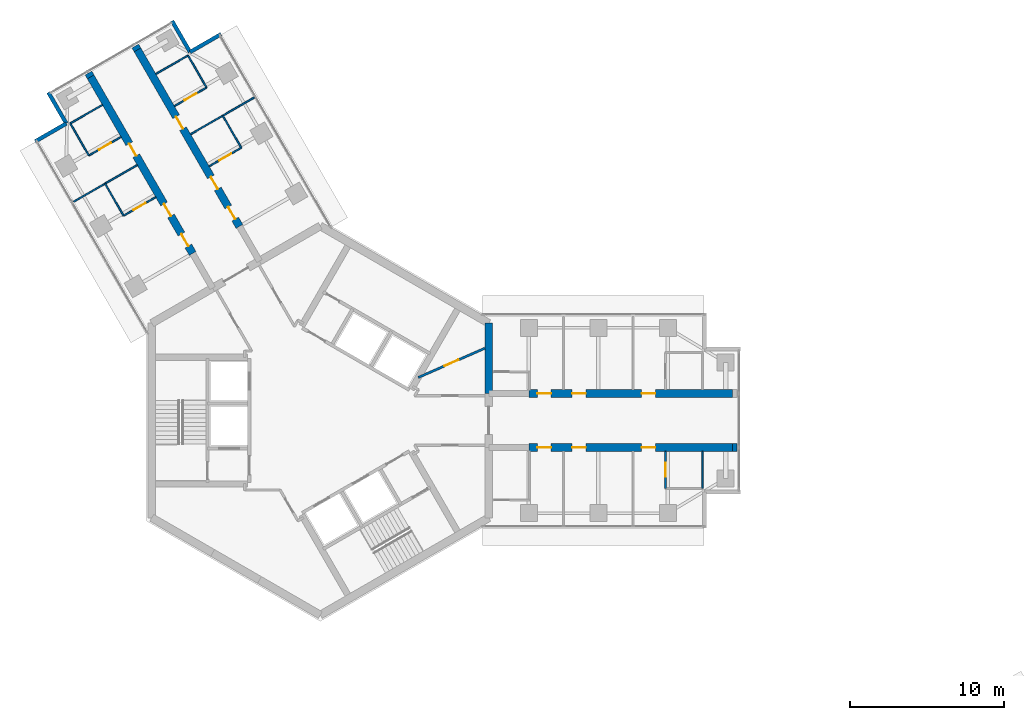
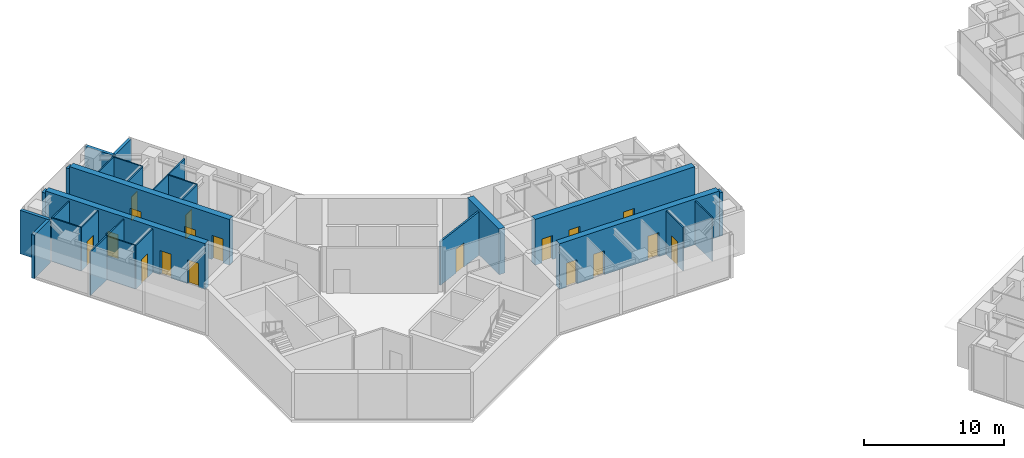
# One storey, part 13 of 18: 27 walls, 18 doors, 18 openings.
"""IFC4 building model written with IfcOpenShell, lengths in metres."""

from ifc_helpers import new_model, si_unit, direction, frame, frame_2d, origin, place, context, subcontext, project, spatial, rectangle, extrude, material, layer, layer_set, type_object, element, fill, save


model = new_model("IFC4")

# Units and contexts
model_context = context("Model", 3, precision=1e-05, world=origin(), true_north=direction((0.0, 1.0)))
body_context = subcontext(model_context, "Body", "Model", "MODEL_VIEW")
ifc_project = project(units=[si_unit("LENGTHUNIT", "METRE"), si_unit("AREAUNIT", "SQUARE_METRE"), si_unit("VOLUMEUNIT", "CUBIC_METRE"), si_unit("PLANEANGLEUNIT", "RADIAN"), si_unit("MASSUNIT", "GRAM", prefix="KILO")], contexts=[model_context])

# Site, building, storey
site_placement = place(None, origin())
site = spatial("IfcSite", under=ifc_project, at=site_placement, CompositionType="ELEMENT")
building_placement = place(site_placement, origin())
building = spatial("IfcBuilding", under=site, at=building_placement, Name="Upepo Twin Towers", CompositionType="ELEMENT")
storey_placement = place(building_placement, frame((0.0, 0.0, 218.5)))
storey = spatial("IfcBuildingStorey", under=building, at=storey_placement, Name="L53", CompositionType="ELEMENT", Elevation=218.5)

# Walls
ifc_material_1 = material(Name="Dense concrete blockwork", Category="masonry")
ifc_layer_1 = layer(ifc_material_1, 0.5)
ifc_layer_set_1 = layer_set([ifc_layer_1], Name="Buttress closer 500, blockwork with fire-stopping to the curtain wall")
wall_type_1 = type_object("IfcWallType", Name="Buttress closer 500, blockwork with fire-stopping to the curtain wall", PredefinedType="PARTITIONING", material=ifc_layer_set_1)
for number, where, z_axis, x_axis, name in (
    (1, (26.699951171875, -1.75, 0.0), (0.0, 0.0, 1.0), (1.0, 0.0, 0.0), "T1 L53 wing A buttress closer R"),
    (2, (-14.865478515625, 22.247802734375, 0.0), (0.0, 0.0, 1.0), (-0.500065409566, 0.86598763626, 0.0), "T1 L53 wing B buttress closer L"),
    (3, (-11.83447265625, 23.997802734375, 0.0), (0.0, 0.0, 1.0), (-0.500065409566, 0.86598763626, 0.0), "T1 L53 wing B buttress closer R"),
):
    element("IfcWall", number, at=place(storey_placement, frame(where, z_axis=z_axis, x_axis=x_axis)), inside=storey, type_object=wall_type_1, Name=name, PredefinedType="PARTITIONING", context=body_context, shape_type="SweptSolid", body=[
        extrude(rectangle(XDim=0.28759765625, YDim=0.5, at=frame_2d((0.143798828125, 0.0))), origin(), (0.0, 0.0, 1.0), 3.800048828125),
    ])

# Wall, openings, doors
ifc_material_2 = material(Name="Concrete C60/75", Category="concrete")
ifc_layer_2 = layer(ifc_material_2, 0.5)
ifc_layer_set_2 = layer_set([ifc_layer_2], Name="Concrete C60/75")
wall_type_2 = type_object("IfcWallType", Name="Buttress wall 500 RC", PredefinedType="SHEAR", material=ifc_layer_set_2)
wall_1_placement = place(storey_placement, frame((13.5, 1.75, 0.0), z_axis=(0.0, 0.0, 1.0), x_axis=(1.0, 0.0, 0.0)))
wall_1 = element("IfcWall", 4, at=wall_1_placement, inside=storey, type_object=wall_type_2, Name="T1 wing A buttress wall L part 2", PredefinedType="SHEAR", context=body_context, shape_type="SweptSolid", body=[
    extrude(rectangle(XDim=13.199951171875, YDim=0.5, at=frame_2d((6.60009765625, 0.0))), origin(), (0.0, 0.0, 1.0), 4.0),
])
opening_1_placement = place(wall_1_placement, frame((0.550048828125, 0.0, 0.0)))
opening_1 = element("IfcOpeningElement", 5, at=opening_1_placement, cuts=wall_1, Name="Opening D11", PredefinedType="OPENING", context=body_context, shape_type="SweptSolid", body=[
    extrude(rectangle(XDim=0.89990234375, YDim=2.10009765625, at=frame_2d((0.449951171875, 1.050048828125))), frame((0.0, 0.260009765625, 0.0), z_axis=(0.0, -1.0, 0.0), x_axis=(1.0, 0.0, 0.0)), (0.0, 0.0, 1.0), 0.52001953125),
])
opening_2_placement = place(wall_1_placement, frame((2.800048828125, 0.0, 0.0)))
opening_2 = element("IfcOpeningElement", 6, at=opening_2_placement, cuts=wall_1, Name="Opening D14", PredefinedType="OPENING", context=body_context, shape_type="SweptSolid", body=[
    extrude(rectangle(XDim=0.89990234375, YDim=2.10009765625, at=frame_2d((0.449951171875, 1.050048828125))), frame((0.0, 0.260009765625, 0.0), z_axis=(0.0, -1.0, 0.0), x_axis=(1.0, 0.0, 0.0)), (0.0, 0.0, 1.0), 0.52001953125),
])
opening_3_placement = place(wall_1_placement, frame((7.300048828125, 0.0, 0.0)))
opening_3 = element("IfcOpeningElement", 7, at=opening_3_placement, cuts=wall_1, Name="Opening D14", PredefinedType="OPENING", context=body_context, shape_type="SweptSolid", body=[
    extrude(rectangle(XDim=0.89990234375, YDim=2.10009765625, at=frame_2d((0.449951171875, 1.050048828125))), frame((0.0, 0.260009765625, 0.0), z_axis=(0.0, -1.0, 0.0), x_axis=(1.0, 0.0, 0.0)), (0.0, 0.0, 1.0), 0.52001953125),
])
ifc_material_3 = material(Name="Timber doorset", Category="wood")
door_type_1 = type_object("IfcDoorType", Name="Office door 900 FD30", OperationType="SINGLE_SWING_LEFT", PredefinedType="DOOR", material=ifc_material_3)
door_1_placement = place(opening_2_placement, origin())
door_1 = element("IfcDoor", 8, at=door_1_placement, inside=storey, type_object=door_type_1, Name="T1 L53 staff office door", OperationType="SINGLE_SWING_LEFT", OverallHeight=2.10009765625, OverallWidth=0.89990234375, PredefinedType="DOOR", context=body_context, shape_type="SweptSolid", body=[
    extrude(rectangle(XDim=0.89990234375, YDim=2.10009765625, at=frame_2d((0.449951171875, 1.050048828125))), frame((0.0, 0.02490234375, 0.0), z_axis=(0.0, -1.0, 0.0), x_axis=(1.0, 0.0, 0.0)), (0.0, 0.0, 1.0), 0.050048828125),
])
fill(opening_2, door_1)
door_2_placement = place(opening_3_placement, origin())
door_2 = element("IfcDoor", 9, at=door_2_placement, inside=storey, type_object=door_type_1, Name="T1 L53 postgraduate office door", OperationType="SINGLE_SWING_RIGHT", OverallHeight=2.10009765625, OverallWidth=0.89990234375, PredefinedType="DOOR", context=body_context, shape_type="SweptSolid", body=[
    extrude(rectangle(XDim=0.89990234375, YDim=2.10009765625, at=frame_2d((0.449951171875, 1.050048828125))), frame((0.0, 0.02490234375, 0.0), z_axis=(0.0, -1.0, 0.0), x_axis=(1.0, 0.0, 0.0)), (0.0, 0.0, 1.0), 0.050048828125),
])
fill(opening_3, door_2)
ifc_material_4 = material(Name="Timber doorset", Category="wood")
door_type_2 = type_object("IfcDoorType", Name="Toilet door 900", OperationType="SINGLE_SWING_LEFT", PredefinedType="DOOR", material=ifc_material_4)
door_3_placement = place(opening_1_placement, origin())
door_3 = element("IfcDoor", 10, at=door_3_placement, inside=storey, type_object=door_type_2, Name="T1 L53 toilets door", OperationType="SINGLE_SWING_LEFT", OverallHeight=2.10009765625, OverallWidth=0.89990234375, PredefinedType="DOOR", context=body_context, shape_type="SweptSolid", body=[
    extrude(rectangle(XDim=0.89990234375, YDim=2.10009765625, at=frame_2d((0.449951171875, 1.050048828125))), frame((0.0, 0.02490234375, 0.0), z_axis=(0.0, -1.0, 0.0), x_axis=(1.0, 0.0, 0.0)), (0.0, 0.0, 1.0), 0.050048828125),
])
fill(opening_1, door_3)

wall_2_placement = place(storey_placement, frame((13.5, -1.75, 0.0), z_axis=(0.0, 0.0, 1.0), x_axis=(1.0, 0.0, 0.0)))
wall_2 = element("IfcWall", 11, at=wall_2_placement, inside=storey, type_object=wall_type_2, Name="T1 wing A buttress wall R part 2", PredefinedType="SHEAR", context=body_context, shape_type="SweptSolid", body=[
    extrude(rectangle(XDim=13.199951171875, YDim=0.5, at=frame_2d((6.60009765625, 0.0))), origin(), (0.0, 0.0, 1.0), 4.0),
])
opening_4_placement = place(wall_2_placement, frame((0.550048828125, 0.0, 0.0)))
opening_4 = element("IfcOpeningElement", 12, at=opening_4_placement, cuts=wall_2, Name="Opening D11", PredefinedType="OPENING", context=body_context, shape_type="SweptSolid", body=[
    extrude(rectangle(XDim=0.89990234375, YDim=2.10009765625, at=frame_2d((0.449951171875, 1.050048828125))), frame((0.0, 0.260009765625, 0.0), z_axis=(0.0, -1.0, 0.0), x_axis=(1.0, 0.0, 0.0)), (0.0, 0.0, 1.0), 0.52001953125),
])
opening_5_placement = place(wall_2_placement, frame((2.800048828125, 0.0, 0.0)))
opening_5 = element("IfcOpeningElement", 13, at=opening_5_placement, cuts=wall_2, Name="Opening D14", PredefinedType="OPENING", context=body_context, shape_type="SweptSolid", body=[
    extrude(rectangle(XDim=0.89990234375, YDim=2.10009765625, at=frame_2d((0.449951171875, 1.050048828125))), frame((0.0, 0.260009765625, 0.0), z_axis=(0.0, -1.0, 0.0), x_axis=(1.0, 0.0, 0.0)), (0.0, 0.0, 1.0), 0.52001953125),
])
opening_6_placement = place(wall_2_placement, frame((7.300048828125, 0.0, 0.0)))
opening_6 = element("IfcOpeningElement", 14, at=opening_6_placement, cuts=wall_2, Name="Opening D14", PredefinedType="OPENING", context=body_context, shape_type="SweptSolid", body=[
    extrude(rectangle(XDim=0.89990234375, YDim=2.10009765625, at=frame_2d((0.449951171875, 1.050048828125))), frame((0.0, 0.260009765625, 0.0), z_axis=(0.0, -1.0, 0.0), x_axis=(1.0, 0.0, 0.0)), (0.0, 0.0, 1.0), 0.52001953125),
])
door_4_placement = place(opening_5_placement, origin())
door_4 = element("IfcDoor", 15, at=door_4_placement, inside=storey, type_object=door_type_1, Name="T1 L53 meeting room door", OperationType="SINGLE_SWING_LEFT", OverallHeight=2.10009765625, OverallWidth=0.89990234375, PredefinedType="DOOR", context=body_context, shape_type="SweptSolid", body=[
    extrude(rectangle(XDim=0.89990234375, YDim=2.10009765625, at=frame_2d((0.449951171875, 1.050048828125))), frame((0.0, 0.02490234375, 0.0), z_axis=(0.0, -1.0, 0.0), x_axis=(1.0, 0.0, 0.0)), (0.0, 0.0, 1.0), 0.050048828125),
])
fill(opening_5, door_4)
door_5_placement = place(opening_6_placement, origin())
door_5 = element("IfcDoor", 16, at=door_5_placement, inside=storey, type_object=door_type_1, Name="T1 L53 staff office door", OperationType="SINGLE_SWING_RIGHT", OverallHeight=2.10009765625, OverallWidth=0.89990234375, PredefinedType="DOOR", context=body_context, shape_type="SweptSolid", body=[
    extrude(rectangle(XDim=0.89990234375, YDim=2.10009765625, at=frame_2d((0.449951171875, 1.050048828125))), frame((0.0, 0.02490234375, 0.0), z_axis=(0.0, -1.0, 0.0), x_axis=(1.0, 0.0, 0.0)), (0.0, 0.0, 1.0), 0.050048828125),
])
fill(opening_6, door_5)
door_6_placement = place(opening_4_placement, origin())
door_6 = element("IfcDoor", 17, at=door_6_placement, inside=storey, type_object=door_type_2, Name="T1 L53 accessible wc door", OperationType="SINGLE_SWING_LEFT", OverallHeight=2.10009765625, OverallWidth=0.89990234375, PredefinedType="DOOR", context=body_context, shape_type="SweptSolid", body=[
    extrude(rectangle(XDim=0.89990234375, YDim=2.10009765625, at=frame_2d((0.449951171875, 1.050048828125))), frame((0.0, 0.02490234375, 0.0), z_axis=(0.0, -1.0, 0.0), x_axis=(1.0, 0.0, 0.0)), (0.0, 0.0, 1.0), 0.050048828125),
])
fill(opening_4, door_6)

wall_3_placement = place(storey_placement, frame((-8.265625, 10.81640625, 0.0), z_axis=(0.0, 0.0, 1.0), x_axis=(-0.499996231654, 0.866027579429, 0.0)))
wall_3 = element("IfcWall", 18, at=wall_3_placement, inside=storey, type_object=wall_type_2, Name="T1 wing B buttress wall L part 2", PredefinedType="SHEAR", context=body_context, shape_type="SweptSolid", body=[
    extrude(rectangle(XDim=13.19970703125, YDim=0.5, at=frame_2d((6.599853515625, 0.0))), origin(), (0.0, 0.0, 1.0), 4.0),
])
opening_7_placement = place(wall_3_placement, frame((0.550048828125, 0.0, 0.0)))
opening_7 = element("IfcOpeningElement", 19, at=opening_7_placement, cuts=wall_3, Name="Opening D14", PredefinedType="OPENING", context=body_context, shape_type="SweptSolid", body=[
    extrude(rectangle(XDim=0.89990234375, YDim=2.10009765625, at=frame_2d((0.449951171875, 1.050048828125))), frame((0.0, 0.260009765625, 0.0), z_axis=(0.0, -1.0, 0.0), x_axis=(1.0, 0.0, 0.0)), (0.0, 0.0, 1.0), 0.52001953125),
])
opening_8_placement = place(wall_3_placement, frame((2.800048828125, 0.0, 0.0)))
opening_8 = element("IfcOpeningElement", 20, at=opening_8_placement, cuts=wall_3, Name="Opening D14", PredefinedType="OPENING", context=body_context, shape_type="SweptSolid", body=[
    extrude(rectangle(XDim=0.89990234375, YDim=2.10009765625, at=frame_2d((0.449951171875, 1.050048828125))), frame((0.0, 0.260009765625, 0.0), z_axis=(0.0, -1.0, 0.0), x_axis=(1.0, 0.0, 0.0)), (0.0, 0.0, 1.0), 0.52001953125),
])
opening_9_placement = place(wall_3_placement, frame((7.300048828125, 0.0, 0.0)))
opening_9 = element("IfcOpeningElement", 21, at=opening_9_placement, cuts=wall_3, Name="Opening D14", PredefinedType="OPENING", context=body_context, shape_type="SweptSolid", body=[
    extrude(rectangle(XDim=0.89990234375, YDim=2.10009765625, at=frame_2d((0.449951171875, 1.050048828125))), frame((0.0, 0.260009765625, 0.0), z_axis=(0.0, -1.0, 0.0), x_axis=(1.0, 0.0, 0.0)), (0.0, 0.0, 1.0), 0.52001953125),
])
door_7_placement = place(opening_7_placement, origin())
door_7 = element("IfcDoor", 22, at=door_7_placement, inside=storey, type_object=door_type_1, Name="T1 L53 open-plan department office door", OperationType="SINGLE_SWING_LEFT", OverallHeight=2.10009765625, OverallWidth=0.89990234375, PredefinedType="DOOR", context=body_context, shape_type="SweptSolid", body=[
    extrude(rectangle(XDim=0.89990234375, YDim=2.10009765625, at=frame_2d((0.449951171875, 1.050048828125))), frame((0.0, 0.02490234375, 0.0), z_axis=(0.0, -1.0, 0.0), x_axis=(1.0, 0.0, 0.0)), (0.0, 0.0, 1.0), 0.050048828125),
])
fill(opening_7, door_7)
door_8_placement = place(opening_8_placement, origin())
door_8 = element("IfcDoor", 23, at=door_8_placement, inside=storey, type_object=door_type_1, Name="T1 L53 open-plan department office door", OperationType="SINGLE_SWING_LEFT", OverallHeight=2.10009765625, OverallWidth=0.89990234375, PredefinedType="DOOR", context=body_context, shape_type="SweptSolid", body=[
    extrude(rectangle(XDim=0.89990234375, YDim=2.10009765625, at=frame_2d((0.449951171875, 1.050048828125))), frame((0.0, 0.02490234375, 0.0), z_axis=(0.0, -1.0, 0.0), x_axis=(1.0, 0.0, 0.0)), (0.0, 0.0, 1.0), 0.050048828125),
])
fill(opening_8, door_8)
door_9_placement = place(opening_9_placement, origin())
door_9 = element("IfcDoor", 24, at=door_9_placement, inside=storey, type_object=door_type_1, Name="T1 L53 staff office door", OperationType="SINGLE_SWING_RIGHT", OverallHeight=2.10009765625, OverallWidth=0.89990234375, PredefinedType="DOOR", context=body_context, shape_type="SweptSolid", body=[
    extrude(rectangle(XDim=0.89990234375, YDim=2.10009765625, at=frame_2d((0.449951171875, 1.050048828125))), frame((0.0, 0.02490234375, 0.0), z_axis=(0.0, -1.0, 0.0), x_axis=(1.0, 0.0, 0.0)), (0.0, 0.0, 1.0), 0.050048828125),
])
fill(opening_9, door_9)

wall_4_placement = place(storey_placement, frame((-5.234375, 12.56640625, 0.0), z_axis=(0.0, 0.0, 1.0), x_axis=(-0.500010103361, 0.866019570528, 0.0)))
wall_4 = element("IfcWall", 25, at=wall_4_placement, inside=storey, type_object=wall_type_2, Name="T1 wing B buttress wall R part 2", PredefinedType="SHEAR", context=body_context, shape_type="SweptSolid", body=[
    extrude(rectangle(XDim=13.199951171875, YDim=0.5, at=frame_2d((6.60009765625, 0.0))), origin(), (0.0, 0.0, 1.0), 4.0),
])
opening_10_placement = place(wall_4_placement, frame((0.550048828125, 0.0, 0.0)))
opening_10 = element("IfcOpeningElement", 26, at=opening_10_placement, cuts=wall_4, Name="Opening D14", PredefinedType="OPENING", context=body_context, shape_type="SweptSolid", body=[
    extrude(rectangle(XDim=0.89990234375, YDim=2.10009765625, at=frame_2d((0.449951171875, 1.050048828125))), frame((0.0, 0.260009765625, 0.0), z_axis=(0.0, -1.0, 0.0), x_axis=(1.0, 0.0, 0.0)), (0.0, 0.0, 1.0), 0.52001953125),
])
opening_11_placement = place(wall_4_placement, frame((2.800048828125, 0.0, 0.0)))
opening_11 = element("IfcOpeningElement", 27, at=opening_11_placement, cuts=wall_4, Name="Opening D14", PredefinedType="OPENING", context=body_context, shape_type="SweptSolid", body=[
    extrude(rectangle(XDim=0.89990234375, YDim=2.10009765625, at=frame_2d((0.449951171875, 1.050048828125))), frame((0.0, 0.260009765625, 0.0), z_axis=(0.0, -1.0, 0.0), x_axis=(1.0, 0.0, 0.0)), (0.0, 0.0, 1.0), 0.52001953125),
])
opening_12_placement = place(wall_4_placement, frame((7.300048828125, 0.0, 0.0)))
opening_12 = element("IfcOpeningElement", 28, at=opening_12_placement, cuts=wall_4, Name="Opening D14", PredefinedType="OPENING", context=body_context, shape_type="SweptSolid", body=[
    extrude(rectangle(XDim=0.89990234375, YDim=2.10009765625, at=frame_2d((0.449951171875, 1.050048828125))), frame((0.0, 0.260009765625, 0.0), z_axis=(0.0, -1.0, 0.0), x_axis=(1.0, 0.0, 0.0)), (0.0, 0.0, 1.0), 0.52001953125),
])
door_10_placement = place(opening_10_placement, origin())
door_10 = element("IfcDoor", 29, at=door_10_placement, inside=storey, type_object=door_type_1, Name="T1 L53 open-plan department office door", OperationType="SINGLE_SWING_LEFT", OverallHeight=2.10009765625, OverallWidth=0.89990234375, PredefinedType="DOOR", context=body_context, shape_type="SweptSolid", body=[
    extrude(rectangle(XDim=0.89990234375, YDim=2.10009765625, at=frame_2d((0.449951171875, 1.050048828125))), frame((0.0, 0.02490234375, 0.0), z_axis=(0.0, -1.0, 0.0), x_axis=(1.0, 0.0, 0.0)), (0.0, 0.0, 1.0), 0.050048828125),
])
fill(opening_10, door_10)
door_11_placement = place(opening_11_placement, origin())
door_11 = element("IfcDoor", 30, at=door_11_placement, inside=storey, type_object=door_type_1, Name="T1 L53 open-plan department office door", OperationType="SINGLE_SWING_LEFT", OverallHeight=2.10009765625, OverallWidth=0.89990234375, PredefinedType="DOOR", context=body_context, shape_type="SweptSolid", body=[
    extrude(rectangle(XDim=0.89990234375, YDim=2.10009765625, at=frame_2d((0.449951171875, 1.050048828125))), frame((0.0, 0.02490234375, 0.0), z_axis=(0.0, -1.0, 0.0), x_axis=(1.0, 0.0, 0.0)), (0.0, 0.0, 1.0), 0.050048828125),
])
fill(opening_11, door_11)
door_12_placement = place(opening_12_placement, origin())
door_12 = element("IfcDoor", 31, at=door_12_placement, inside=storey, type_object=door_type_1, Name="T1 L53 postgraduate office door", OperationType="SINGLE_SWING_RIGHT", OverallHeight=2.10009765625, OverallWidth=0.89990234375, PredefinedType="DOOR", context=body_context, shape_type="SweptSolid", body=[
    extrude(rectangle(XDim=0.89990234375, YDim=2.10009765625, at=frame_2d((0.449951171875, 1.050048828125))), frame((0.0, 0.02490234375, 0.0), z_axis=(0.0, -1.0, 0.0), x_axis=(1.0, 0.0, 0.0)), (0.0, 0.0, 1.0), 0.050048828125),
])
fill(opening_12, door_12)

# Walls
ifc_material_5 = material(Name="Concrete C60/75", Category="concrete")
ifc_layer_3 = layer(ifc_material_5, 0.5)
ifc_layer_set_3 = layer_set([ifc_layer_3], Name="Concrete C60/75")
wall_type_3 = type_object("IfcWallType", Name="Core wall 500 RC", PredefinedType="SHEAR", material=ifc_layer_set_3)
wall_5_placement = place(storey_placement, frame((10.908447265625, 1.75, 0.0), z_axis=(0.0, 0.0, 1.0), x_axis=(0.0, 1.0, 0.0)))
element("IfcWall", 32, at=wall_5_placement, inside=storey, type_object=wall_type_3, Name="T1 core wall 000 L", PredefinedType="SHEAR", context=body_context, shape_type="SweptSolid", body=[
    extrude(rectangle(XDim=4.5478515625, YDim=0.5, at=frame_2d((2.27392578125, 0.0))), origin(), (0.0, 0.0, 1.0), 4.0),
])
ifc_material_6 = material(Name="Blockwork with anodised aluminium cladding", Category="masonry")
ifc_layer_4 = layer(ifc_material_6, 0.25)
ifc_layer_set_4 = layer_set([ifc_layer_4], Name="Notch cladding wall 250, pale metal")
wall_type_4 = type_object("IfcWallType", Name="Notch cladding wall 250, pale metal", PredefinedType="STANDARD", material=ifc_layer_set_4)
for number, where, z_axis, x_axis, name in (
    (33, (-18.456298828125, 18.0673828125, 0.0), (0.0, 0.0, 1.0), (0.865998469481, 0.500046648681, 0.0), "T1 L53 wing B notch wall L1"),
    (34, (-16.44287109375, 19.22998046875, 0.0), (0.0, 0.0, 1.0), (-0.500046648681, 0.865998469481, 0.0), "T1 L53 wing B notch wall L2"),
    (35, (-6.418701171875, 25.017333984375, 0.0), (0.0, 0.0, 1.0), (-0.866043940782, -0.499967891604, 0.0), "T1 L53 wing B notch wall R1"),
    (36, (-8.43212890625, 23.85498046875, 0.0), (0.0, 0.0, 1.0), (-0.500046648681, 0.865998469481, 0.0), "T1 L53 wing B notch wall R2"),
):
    element("IfcWall", number, at=place(storey_placement, frame(where, z_axis=z_axis, x_axis=x_axis)), inside=storey, type_object=wall_type_4, Name=name, PredefinedType="STANDARD", context=body_context, shape_type="SweptSolid", body=[
        extrude(rectangle(XDim=2.324951171875, YDim=0.25, at=frame_2d((1.16259765625, 0.0))), origin(), (0.0, 0.0, 1.0), 3.800048828125),
    ])

# Wall, opening, door
ifc_material_7 = material(Name="Gypsum board on steel studs", Category="steel")
ifc_layer_5 = layer(ifc_material_7, 0.10009765625)
ifc_layer_set_5 = layer_set([ifc_layer_5], Name="Office partition 100 stud")
wall_type_5 = type_object("IfcWallType", Name="Office partition 100 stud", PredefinedType="PARTITIONING", material=ifc_layer_set_5)
wall_6_placement = place(storey_placement, frame((22.35009765625, -2.0, 0.0), z_axis=(0.0, 0.0, 1.0), x_axis=(0.0, -1.0, 0.0)))
wall_6 = element("IfcWall", 37, at=wall_6_placement, inside=storey, type_object=wall_type_5, Name="T1 inner room partition AR end at 22.35", PredefinedType="PARTITIONING", context=body_context, shape_type="SweptSolid", body=[
    extrude(rectangle(XDim=2.39990234375, YDim=0.10009765625, at=frame_2d((1.199951171875, 0.0))), origin(), (0.0, 0.0, 1.0), 3.800048828125),
])
opening_13_placement = place(wall_6_placement, frame((0.75, 0.0, 0.0)))
opening_13 = element("IfcOpeningElement", 38, at=opening_13_placement, cuts=wall_6, Name="Opening D14", PredefinedType="OPENING", context=body_context, shape_type="SweptSolid", body=[
    extrude(rectangle(XDim=0.89990234375, YDim=2.10009765625, at=frame_2d((0.449951171875, 1.050048828125))), frame((0.0, 0.06005859375, 0.0), z_axis=(0.0, -1.0, 0.0), x_axis=(1.0, 0.0, 0.0)), (0.0, 0.0, 1.0), 0.1201171875),
])
door_13_placement = place(opening_13_placement, origin())
door_13 = element("IfcDoor", 39, at=door_13_placement, inside=storey, type_object=door_type_1, Name="T1 L53 inner room door", OperationType="SINGLE_SWING_LEFT", OverallHeight=2.10009765625, OverallWidth=0.89990234375, PredefinedType="DOOR", context=body_context, shape_type="SweptSolid", body=[
    extrude(rectangle(XDim=0.89990234375, YDim=2.10009765625, at=frame_2d((0.449951171875, 1.050048828125))), frame((0.0, 0.02490234375, 0.0), z_axis=(0.0, -1.0, 0.0), x_axis=(1.0, 0.0, 0.0)), (0.0, 0.0, 1.0), 0.050048828125),
])
fill(opening_13, door_13)

# Walls
wall_7_placement = place(storey_placement, frame((24.75, -2.0, 0.0), z_axis=(0.0, 0.0, 1.0), x_axis=(0.0, -1.0, 0.0)))
element("IfcWall", 40, at=wall_7_placement, inside=storey, type_object=wall_type_5, Name="T1 inner room partition AR end at 24.75", PredefinedType="PARTITIONING", context=body_context, shape_type="SweptSolid", body=[
    extrude(rectangle(XDim=2.39990234375, YDim=0.10009765625, at=frame_2d((1.199951171875, 0.0))), origin(), (0.0, 0.0, 1.0), 3.800048828125),
])
wall_8_placement = place(storey_placement, frame((-11.85693359375, 16.537109375, 0.0), z_axis=(0.0, 0.0, 1.0), x_axis=(-0.866033238375, -0.499986429846, 0.0)))
element("IfcWall", 41, at=wall_8_placement, inside=storey, type_object=wall_type_5, Name="T1 partition BL at 20.25", PredefinedType="PARTITIONING", context=body_context, shape_type="SweptSolid", body=[
    extrude(rectangle(XDim=4.750244140625, YDim=0.10009765625, at=frame_2d((2.375, 0.0))), origin(), (0.0, 0.0, 1.0), 3.800048828125),
])
wall_9_placement = place(storey_placement, frame((-12.735595703125, 13.258544921875, 0.0), z_axis=(0.0, 0.0, 1.0), x_axis=(-0.500001309137, 0.866024647952, 0.0)))
element("IfcWall", 42, at=wall_9_placement, inside=storey, type_object=wall_type_5, Name="T1 inner room partition BL at 17.85", PredefinedType="PARTITIONING", context=body_context, shape_type="SweptSolid", body=[
    extrude(rectangle(XDim=2.39990234375, YDim=0.10009765625, at=frame_2d((1.199951171875, 0.0))), origin(), (0.0, 0.0, 1.0), 3.800048828125),
])

# Wall, opening, door
wall_10_placement = place(storey_placement, frame((-10.656982421875, 14.45849609375, 0.0), z_axis=(0.0, 0.0, 1.0), x_axis=(-0.866050077142, -0.499957262057, 0.0)))
wall_10 = element("IfcWall", 43, at=wall_10_placement, inside=storey, type_object=wall_type_5, Name="T1 inner room partition BL end at 17.85", PredefinedType="PARTITIONING", context=body_context, shape_type="SweptSolid", body=[
    extrude(rectangle(XDim=2.400146484375, YDim=0.10009765625, at=frame_2d((1.2001953125, 0.0))), origin(), (0.0, 0.0, 1.0), 3.800048828125),
])
opening_14_placement = place(wall_10_placement, frame((0.75, 0.0, 0.0)))
opening_14 = element("IfcOpeningElement", 44, at=opening_14_placement, cuts=wall_10, Name="Opening D14", PredefinedType="OPENING", context=body_context, shape_type="SweptSolid", body=[
    extrude(rectangle(XDim=0.89990234375, YDim=2.10009765625, at=frame_2d((0.449951171875, 1.050048828125))), frame((0.0, 0.06005859375, 0.0), z_axis=(0.0, -1.0, 0.0), x_axis=(1.0, 0.0, 0.0)), (0.0, 0.0, 1.0), 0.1201171875),
])
door_14_placement = place(opening_14_placement, origin())
door_14 = element("IfcDoor", 45, at=door_14_placement, inside=storey, type_object=door_type_1, Name="T1 L53 inner room door", OperationType="SINGLE_SWING_LEFT", OverallHeight=2.10009765625, OverallWidth=0.89990234375, PredefinedType="DOOR", context=body_context, shape_type="SweptSolid", body=[
    extrude(rectangle(XDim=0.89990234375, YDim=2.10009765625, at=frame_2d((0.449951171875, 1.050048828125))), frame((0.0, 0.02490234375, 0.0), z_axis=(0.0, -1.0, 0.0), x_axis=(1.0, 0.0, 0.0)), (0.0, 0.0, 1.0), 0.050048828125),
])
fill(opening_14, door_14)

# Wall
wall_11_placement = place(storey_placement, frame((-14.985595703125, 17.15576171875, 0.0), z_axis=(0.0, 0.0, 1.0), x_axis=(-0.500001309137, 0.866024647952, 0.0)))
element("IfcWall", 46, at=wall_11_placement, inside=storey, type_object=wall_type_5, Name="T1 inner room partition BL at 22.35", PredefinedType="PARTITIONING", context=body_context, shape_type="SweptSolid", body=[
    extrude(rectangle(XDim=2.39990234375, YDim=0.10009765625, at=frame_2d((1.199951171875, 0.0))), origin(), (0.0, 0.0, 1.0), 3.800048828125),
])

# Wall, opening, door
wall_12_placement = place(storey_placement, frame((-12.906982421875, 18.355712890625, 0.0), z_axis=(0.0, 0.0, 1.0), x_axis=(-0.866050077142, -0.499957262057, 0.0)))
wall_12 = element("IfcWall", 47, at=wall_12_placement, inside=storey, type_object=wall_type_5, Name="T1 inner room partition BL end at 22.35", PredefinedType="PARTITIONING", context=body_context, shape_type="SweptSolid", body=[
    extrude(rectangle(XDim=2.400146484375, YDim=0.10009765625, at=frame_2d((1.2001953125, 0.0))), origin(), (0.0, 0.0, 1.0), 3.800048828125),
])
opening_15_placement = place(wall_12_placement, frame((0.75, 0.0, 0.0)))
opening_15 = element("IfcOpeningElement", 48, at=opening_15_placement, cuts=wall_12, Name="Opening D14", PredefinedType="OPENING", context=body_context, shape_type="SweptSolid", body=[
    extrude(rectangle(XDim=0.89990234375, YDim=2.10009765625, at=frame_2d((0.449951171875, 1.050048828125))), frame((0.0, 0.06005859375, 0.0), z_axis=(0.0, -1.0, 0.0), x_axis=(1.0, 0.0, 0.0)), (0.0, 0.0, 1.0), 0.1201171875),
])
door_15_placement = place(opening_15_placement, origin())
door_15 = element("IfcDoor", 49, at=door_15_placement, inside=storey, type_object=door_type_1, Name="T1 L53 inner room door", OperationType="SINGLE_SWING_LEFT", OverallHeight=2.10009765625, OverallWidth=0.89990234375, PredefinedType="DOOR", context=body_context, shape_type="SweptSolid", body=[
    extrude(rectangle(XDim=0.89990234375, YDim=2.10009765625, at=frame_2d((0.449951171875, 1.050048828125))), frame((0.0, 0.02490234375, 0.0), z_axis=(0.0, -1.0, 0.0), x_axis=(1.0, 0.0, 0.0)), (0.0, 0.0, 1.0), 0.050048828125),
])
fill(opening_15, door_15)

# Walls
wall_13_placement = place(storey_placement, frame((-14.10693359375, 20.43408203125, 0.0), z_axis=(0.0, 0.0, 1.0), x_axis=(-0.866050077142, -0.499957262057, 0.0)))
element("IfcWall", 50, at=wall_13_placement, inside=storey, type_object=wall_type_5, Name="T1 inner room partition BL end at 24.75", PredefinedType="PARTITIONING", context=body_context, shape_type="SweptSolid", body=[
    extrude(rectangle(XDim=2.400146484375, YDim=0.10009765625, at=frame_2d((1.2001953125, 0.0))), origin(), (0.0, 0.0, 1.0), 3.800048828125),
])
wall_14_placement = place(storey_placement, frame((-8.39306640625, 18.537109375, 0.0), z_axis=(0.0, 0.0, 1.0), x_axis=(0.866033238375, 0.499986429846, 0.0)))
element("IfcWall", 51, at=wall_14_placement, inside=storey, type_object=wall_type_5, Name="T1 partition BR at 20.25", PredefinedType="PARTITIONING", context=body_context, shape_type="SweptSolid", body=[
    extrude(rectangle(XDim=4.750244140625, YDim=0.10009765625, at=frame_2d((2.375, 0.0))), origin(), (0.0, 0.0, 1.0), 3.800048828125),
])
wall_15_placement = place(storey_placement, frame((-5.114501953125, 17.658447265625, 0.0), z_axis=(0.0, 0.0, 1.0), x_axis=(-0.499957262057, 0.866050077142, 0.0)))
element("IfcWall", 52, at=wall_15_placement, inside=storey, type_object=wall_type_5, Name="T1 inner room partition BR at 17.85", PredefinedType="PARTITIONING", context=body_context, shape_type="SweptSolid", body=[
    extrude(rectangle(XDim=2.400146484375, YDim=0.10009765625, at=frame_2d((1.2001953125, 0.0))), origin(), (0.0, 0.0, 1.0), 3.800048828125),
])

# Wall, opening, door
wall_16_placement = place(storey_placement, frame((-7.19287109375, 16.45849609375, 0.0), z_axis=(0.0, 0.0, 1.0), x_axis=(0.866024647952, 0.500001309137, 0.0)))
wall_16 = element("IfcWall", 53, at=wall_16_placement, inside=storey, type_object=wall_type_5, Name="T1 inner room partition BR end at 17.85", PredefinedType="PARTITIONING", context=body_context, shape_type="SweptSolid", body=[
    extrude(rectangle(XDim=2.39990234375, YDim=0.10009765625, at=frame_2d((1.199951171875, 0.0))), origin(), (0.0, 0.0, 1.0), 3.800048828125),
])
opening_16_placement = place(wall_16_placement, frame((0.75, 0.0, 0.0)))
opening_16 = element("IfcOpeningElement", 54, at=opening_16_placement, cuts=wall_16, Name="Opening D14", PredefinedType="OPENING", context=body_context, shape_type="SweptSolid", body=[
    extrude(rectangle(XDim=0.89990234375, YDim=2.10009765625, at=frame_2d((0.449951171875, 1.050048828125))), frame((0.0, 0.06005859375, 0.0), z_axis=(0.0, -1.0, 0.0), x_axis=(1.0, 0.0, 0.0)), (0.0, 0.0, 1.0), 0.1201171875),
])
door_16_placement = place(opening_16_placement, origin())
door_16 = element("IfcDoor", 55, at=door_16_placement, inside=storey, type_object=door_type_1, Name="T1 L53 inner room door", OperationType="SINGLE_SWING_LEFT", OverallHeight=2.10009765625, OverallWidth=0.89990234375, PredefinedType="DOOR", context=body_context, shape_type="SweptSolid", body=[
    extrude(rectangle(XDim=0.89990234375, YDim=2.10009765625, at=frame_2d((0.449951171875, 1.050048828125))), frame((0.0, 0.02490234375, 0.0), z_axis=(0.0, -1.0, 0.0), x_axis=(1.0, 0.0, 0.0)), (0.0, 0.0, 1.0), 0.050048828125),
])
fill(opening_16, door_16)

# Wall
wall_17_placement = place(storey_placement, frame((-7.364501953125, 21.5556640625, 0.0), z_axis=(0.0, 0.0, 1.0), x_axis=(-0.500001309137, 0.866024647952, 0.0)))
element("IfcWall", 56, at=wall_17_placement, inside=storey, type_object=wall_type_5, Name="T1 inner room partition BR at 22.35", PredefinedType="PARTITIONING", context=body_context, shape_type="SweptSolid", body=[
    extrude(rectangle(XDim=2.39990234375, YDim=0.10009765625, at=frame_2d((1.199951171875, 0.0))), origin(), (0.0, 0.0, 1.0), 3.800048828125),
])

# Wall, opening, door
wall_18_placement = place(storey_placement, frame((-9.44287109375, 20.355712890625, 0.0), z_axis=(0.0, 0.0, 1.0), x_axis=(0.866024647952, 0.500001309137, 0.0)))
wall_18 = element("IfcWall", 57, at=wall_18_placement, inside=storey, type_object=wall_type_5, Name="T1 inner room partition BR end at 22.35", PredefinedType="PARTITIONING", context=body_context, shape_type="SweptSolid", body=[
    extrude(rectangle(XDim=2.39990234375, YDim=0.10009765625, at=frame_2d((1.199951171875, 0.0))), origin(), (0.0, 0.0, 1.0), 3.800048828125),
])
opening_17_placement = place(wall_18_placement, frame((0.75, 0.0, 0.0)))
opening_17 = element("IfcOpeningElement", 58, at=opening_17_placement, cuts=wall_18, Name="Opening D14", PredefinedType="OPENING", context=body_context, shape_type="SweptSolid", body=[
    extrude(rectangle(XDim=0.89990234375, YDim=2.10009765625, at=frame_2d((0.449951171875, 1.050048828125))), frame((0.0, 0.06005859375, 0.0), z_axis=(0.0, -1.0, 0.0), x_axis=(1.0, 0.0, 0.0)), (0.0, 0.0, 1.0), 0.1201171875),
])
door_17_placement = place(opening_17_placement, origin())
door_17 = element("IfcDoor", 59, at=door_17_placement, inside=storey, type_object=door_type_1, Name="T1 L53 inner room door", OperationType="SINGLE_SWING_LEFT", OverallHeight=2.10009765625, OverallWidth=0.89990234375, PredefinedType="DOOR", context=body_context, shape_type="SweptSolid", body=[
    extrude(rectangle(XDim=0.89990234375, YDim=2.10009765625, at=frame_2d((0.449951171875, 1.050048828125))), frame((0.0, 0.02490234375, 0.0), z_axis=(0.0, -1.0, 0.0), x_axis=(1.0, 0.0, 0.0)), (0.0, 0.0, 1.0), 0.050048828125),
])
fill(opening_17, door_17)

# Wall
wall_19_placement = place(storey_placement, frame((-10.64306640625, 22.43408203125, 0.0), z_axis=(0.0, 0.0, 1.0), x_axis=(0.866050077142, 0.499957262057, 0.0)))
element("IfcWall", 60, at=wall_19_placement, inside=storey, type_object=wall_type_5, Name="T1 inner room partition BR end at 24.75", PredefinedType="PARTITIONING", context=body_context, shape_type="SweptSolid", body=[
    extrude(rectangle(XDim=2.400146484375, YDim=0.10009765625, at=frame_2d((1.2001953125, 0.0))), origin(), (0.0, 0.0, 1.0), 3.800048828125),
])

# Wall, opening, door
ifc_material_8 = material(Name="Gypsum board on steel studs", Category="steel")
ifc_layer_6 = layer(ifc_material_8, 0.14990234375)
ifc_layer_set_6 = layer_set([ifc_layer_6], Name="Teaching partition 150 acoustic")
wall_type_6 = type_object("IfcWallType", Name="Teaching partition 150 acoustic", PredefinedType="PARTITIONING", material=ifc_layer_set_6)
wall_20_placement = place(storey_placement, frame((6.34228515625, 2.78515625, 0.0), z_axis=(0.0, 0.0, 1.0), x_axis=(0.915607292951, 0.402073730919, 0.0)))
wall_20 = element("IfcWall", 61, at=wall_20_placement, inside=storey, type_object=wall_type_6, Name="T1 core room partition 17", PredefinedType="PARTITIONING", context=body_context, shape_type="SweptSolid", body=[
    extrude(rectangle(XDim=4.713623046875, YDim=0.14990234375, at=frame_2d((2.35693359375, 0.0))), origin(), (0.0, 0.0, 1.0), 3.800048828125),
])
opening_18_placement = place(wall_20_placement, frame((1.85693359375, 0.0, 0.0)))
opening_18 = element("IfcOpeningElement", 62, at=opening_18_placement, cuts=wall_20, Name="Opening D1", PredefinedType="OPENING", context=body_context, shape_type="SweptSolid", body=[
    extrude(rectangle(XDim=1.0, YDim=2.10009765625, at=frame_2d((0.5, 1.050048828125))), frame((0.0, 0.0849609375, 0.0), z_axis=(0.0, -1.0, 0.0), x_axis=(1.0, 0.0, 0.0)), (0.0, 0.0, 1.0), 0.169921875),
])
ifc_material_9 = material(Name="Timber doorset", Category="wood")
door_type_3 = type_object("IfcDoorType", Name="Room door 1000 FD30", OperationType="SINGLE_SWING_LEFT", PredefinedType="DOOR", material=ifc_material_9)
door_18_placement = place(opening_18_placement, origin())
door_18 = element("IfcDoor", 63, at=door_18_placement, inside=storey, type_object=door_type_3, Name="T1 L53 core room door K4", OperationType="SINGLE_SWING_LEFT", OverallHeight=2.10009765625, OverallWidth=1.0, PredefinedType="DOOR", context=body_context, shape_type="SweptSolid", body=[
    extrude(rectangle(XDim=1.0, YDim=2.10009765625, at=frame_2d((0.5, 1.050048828125))), frame((0.0, 0.02490234375, 0.0), z_axis=(0.0, -1.0, 0.0), x_axis=(1.0, 0.0, 0.0)), (0.0, 0.0, 1.0), 0.050048828125),
])
fill(opening_18, door_18)

save(model, "model.ifc")
